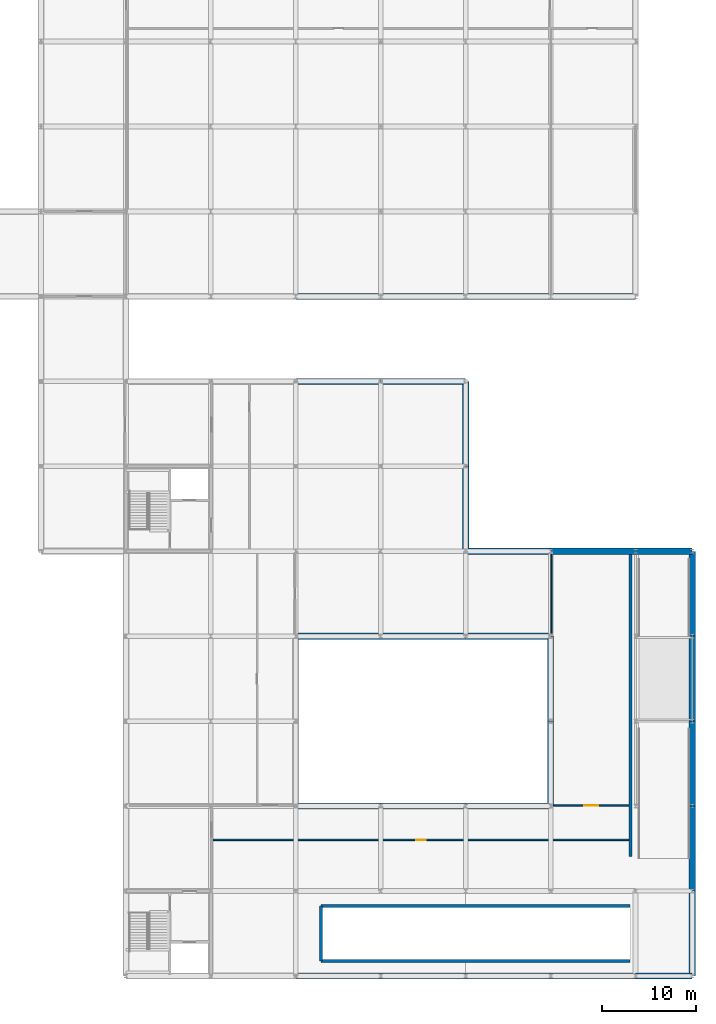
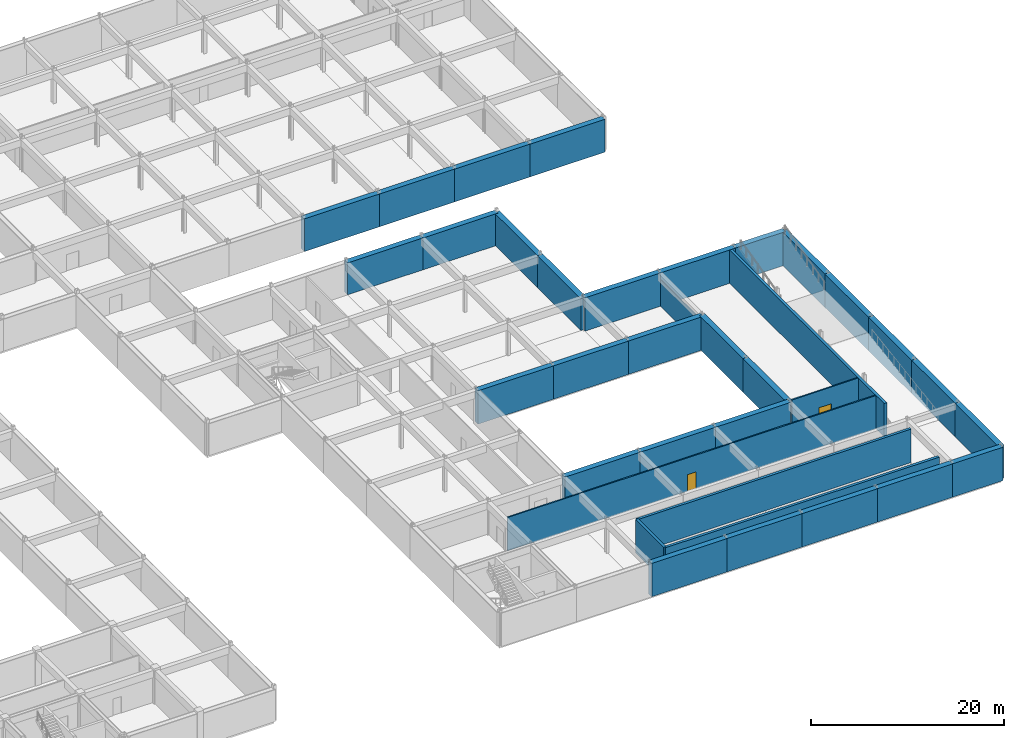
# One storey, part 25 of 35: 36 walls, 2 doors, 2 openings.
"""IFC4 building model written with IfcOpenShell, lengths in metres."""

from ifc_helpers import new_model, si_unit, direction, frame, frame_2d, origin, place, context, subcontext, project, spatial, rectangle, extrude, material, layer, layer_set, type_object, element, fill, save


model = new_model("IFC4")

# Units and contexts
model_context = context("Model", 3, precision=1e-05, world=origin(), true_north=direction((0.0, 1.0)))
body_context = subcontext(model_context, "Body", "Model", "MODEL_VIEW")
ifc_project = project(units=[si_unit("LENGTHUNIT", "METRE"), si_unit("AREAUNIT", "SQUARE_METRE"), si_unit("VOLUMEUNIT", "CUBIC_METRE"), si_unit("PLANEANGLEUNIT", "RADIAN"), si_unit("MASSUNIT", "GRAM", prefix="KILO")], contexts=[model_context])

# Site, building, storey
site_placement = place(None, origin())
site = spatial("IfcSite", under=ifc_project, at=site_placement, CompositionType="ELEMENT")
building_placement = place(site_placement, origin())
building = spatial("IfcBuilding", under=site, at=building_placement, Name="Palais des Congres Ocreval", CompositionType="ELEMENT")
storey_placement = place(building_placement, frame((0.0, 0.0, -4.47998046875)))
storey = spatial("IfcBuildingStorey", under=building, at=storey_placement, Name="B1", CompositionType="ELEMENT", Elevation=-4.47998046875)

# Wall, opening, door
ifc_material_1 = material(Name="Gypsum acoustic partition")
ifc_layer_1 = layer(ifc_material_1, 0.159912109375)
ifc_layer_set_1 = layer_set([ifc_layer_1], Name="Corridor Fire Partition 160 Gypsum (Gypsum acoustic partition)")
wall_type_1 = type_object("IfcWallType", Name="Corridor Fire Partition 160 Gypsum", PredefinedType="PARTITIONING", material=ifc_layer_set_1)
wall_1_placement = place(storey_placement, frame((117.219970703125, 14.409912109375, 0.0), z_axis=(0.0, 0.0, 1.0), x_axis=(1.0, 0.0, 0.0)))
wall_1 = element("IfcWall", 1, at=wall_1_placement, inside=storey, type_object=wall_type_1, Name="Interior Partition IW03 B1", PredefinedType="PARTITIONING", context=body_context, shape_type="SweptSolid", body=[
    extrude(rectangle(XDim=44.074951171875, YDim=0.159912109375, at=frame_2d((22.03759765625, 0.0))), origin(), (0.0, 0.0, 1.0), 4.219970703125),
])
opening_1_placement = place(wall_1_placement, frame((21.53759765625, 0.0, 0.0)))
opening_1 = element("IfcOpeningElement", 2, at=opening_1_placement, cuts=wall_1, Name="Opening D10", PredefinedType="OPENING", context=body_context, shape_type="SweptSolid", body=[
    extrude(rectangle(XDim=1.0, YDim=2.10009765625, at=frame_2d((0.5, 1.050048828125))), frame((0.0, 0.08984375, 0.0), z_axis=(0.0, -1.0, 0.0), x_axis=(1.0, 0.0, 0.0)), (0.0, 0.0, 1.0), 0.179931640625),
])
ifc_material_2 = material(Name="Painted steel", Category="steel")
door_type_1 = type_object("IfcDoorType", Name="Service and Pantry Door 1000x2100", OperationType="NOTDEFINED", PredefinedType="DOOR", material=ifc_material_2)
door_1_placement = place(opening_1_placement, origin())
door_1 = element("IfcDoor", 3, at=door_1_placement, inside=storey, type_object=door_type_1, Name="Interior Door D10 B1", OperationType="SINGLE_SWING_RIGHT", OverallHeight=2.10009765625, OverallWidth=1.0, PredefinedType="DOOR", context=body_context, shape_type="SweptSolid", body=[
    extrude(rectangle(XDim=1.0, YDim=2.10009765625, at=frame_2d((0.5, 1.050048828125))), frame((0.0, 0.02490234375, 0.0), z_axis=(0.0, -1.0, 0.0), x_axis=(1.0, 0.0, 0.0)), (0.0, 0.0, 1.0), 0.050048828125),
])
fill(opening_1, door_1)

wall_2_placement = place(storey_placement, frame((153.330078125, 18.06494140625, 0.0), z_axis=(0.0, 0.0, 1.0), x_axis=(1.0, 0.0, 0.0)))
wall_2 = element("IfcWall", 4, at=wall_2_placement, inside=storey, type_object=wall_type_1, Name="Interior Partition IW03 B1", PredefinedType="PARTITIONING", context=body_context, shape_type="SweptSolid", body=[
    extrude(rectangle(XDim=7.96484375, YDim=0.159912109375, at=frame_2d((3.982421875, 0.0))), origin(), (0.0, 0.0, 1.0), 4.219970703125),
])
opening_2_placement = place(wall_2_placement, frame((3.232421875, 0.0, 0.0)))
opening_2 = element("IfcOpeningElement", 5, at=opening_2_placement, cuts=wall_2, Name="Opening D04", PredefinedType="OPENING", context=body_context, shape_type="SweptSolid", body=[
    extrude(rectangle(XDim=1.5, YDim=2.10009765625, at=frame_2d((0.75, 1.050048828125))), frame((0.0, 0.08984375, 0.0), z_axis=(0.0, -1.0, 0.0), x_axis=(1.0, 0.0, 0.0)), (0.0, 0.0, 1.0), 0.179931640625),
])
ifc_material_3 = material(Name="Solid French oak fire door", Category="wood")
door_type_2 = type_object("IfcDoorType", Name="Corridor Compartment Double Door 1500x2100", OperationType="NOTDEFINED", PredefinedType="DOOR", material=ifc_material_3)
door_2_placement = place(opening_2_placement, origin())
door_2 = element("IfcDoor", 6, at=door_2_placement, inside=storey, type_object=door_type_2, Name="Interior Door D04 B1", OperationType="DOUBLE_DOOR_SINGLE_SWING", OverallHeight=2.10009765625, OverallWidth=1.5, PredefinedType="DOOR", context=body_context, shape_type="SweptSolid", body=[
    extrude(rectangle(XDim=1.5, YDim=2.10009765625, at=frame_2d((0.75, 1.050048828125))), frame((0.0, 0.02490234375, 0.0), z_axis=(0.0, -1.0, 0.0), x_axis=(1.0, 0.0, 0.0)), (0.0, 0.0, 1.0), 0.050048828125),
])
fill(opening_2, door_2)

# Walls
ifc_material_4 = material(Name="Concrete C40/50", Category="concrete")
ifc_layer_2 = layer(ifc_material_4, 0.320068359375)
ifc_layer_set_2 = layer_set([ifc_layer_2], Name="Ramp and Hoistway Shear Wall 320 Concrete C40/50")
wall_type_2 = type_object("IfcWallType", Name="Ramp and Hoistway Shear Wall 320 Concrete C40/50", PredefinedType="SHEAR", material=ifc_layer_set_2)
wall_3_placement = place(storey_placement, frame((161.449951171875, 12.64990234375, 0.0), z_axis=(0.0, 0.0, 1.0), x_axis=(0.0, 1.0, 0.0)))
element("IfcWall", 7, at=wall_3_placement, inside=storey, type_object=wall_type_2, Name="Vehicle Ramp West Shaft Wall B1", PredefinedType="SHEAR", context=body_context, shape_type="SweptSolid", body=[
    extrude(rectangle(XDim=32.35009765625, YDim=0.320068359375, at=frame_2d((16.175048828125, 0.0))), origin(), (0.0, 0.0, 1.0), 4.219970703125),
])
for number, where, z_axis, x_axis, name in (
    (8, (128.679931640625, 7.419921875, 0.0), (0.0, 0.0, 1.0), (1.0, 0.0, 0.0), "Basement Ramp North Shaft Wall B1"),
    (9, (128.679931640625, 1.580078125, 0.0), (0.0, 0.0, 1.0), (1.0, 0.0, 0.0), "Basement Ramp South Shaft Wall B1"),
):
    element("IfcWall", number, at=place(storey_placement, frame(where, z_axis=z_axis, x_axis=x_axis)), inside=storey, type_object=wall_type_2, Name=name, PredefinedType="SHEAR", context=body_context, shape_type="SweptSolid", body=[
        extrude(rectangle(XDim=32.739990234375, YDim=0.320068359375, at=frame_2d((16.3701171875, 0.0))), origin(), (0.0, 0.0, 1.0), 4.219970703125),
    ])
wall_4_placement = place(storey_placement, frame((128.679931640625, 1.580078125, 0.0), z_axis=(0.0, 0.0, 1.0), x_axis=(0.0, 1.0, 0.0)))
element("IfcWall", 10, at=wall_4_placement, inside=storey, type_object=wall_type_2, Name="Basement Ramp West Closure Wall B1", PredefinedType="SHEAR", context=body_context, shape_type="SweptSolid", body=[
    extrude(rectangle(XDim=5.83984375, YDim=0.320068359375, at=frame_2d((2.919921875, 0.0))), origin(), (0.0, 0.0, 1.0), 4.219970703125),
])
ifc_material_5 = material(Name="Gypsum board partition")
ifc_layer_3 = layer(ifc_material_5, 0.1201171875)
ifc_layer_set_3 = layer_set([ifc_layer_3], Name="Suite Subdivision Partition 120 Gypsum (Gypsum board partition)")
wall_type_3 = type_object("IfcWallType", Name="Suite Subdivision Partition 120 Gypsum", PredefinedType="PARTITIONING", material=ifc_layer_set_3)
wall_5_placement = place(storey_placement, frame((153.090087890625, 36.330078125, 0.0), z_axis=(0.0, 0.0, 1.0), x_axis=(0.0, 1.0, 0.0)))
element("IfcWall", 11, at=wall_5_placement, inside=storey, type_object=wall_type_3, Name="Interior Partition IW04 B1", PredefinedType="PARTITIONING", context=body_context, shape_type="SweptSolid", body=[
    extrude(rectangle(XDim=8.33984375, YDim=0.1201171875, at=frame_2d((4.169921875, 0.0))), origin(), (0.0, 0.0, 1.0), 3.320068359375),
])
ifc_material_6 = material(Name="Concrete C35/45", Category="concrete")
ifc_layer_4 = layer(ifc_material_6, 0.64990234375)
ifc_layer_set_4 = layer_set([ifc_layer_4], Name="Upper Retaining Wall 650 Concrete C35/45")
wall_type_4 = type_object("IfcWallType", Name="Upper Retaining Wall 650 Concrete C35/45", PredefinedType="USERDEFINED", material=ifc_layer_set_4)
for number, where, z_axis, x_axis, name in (
    (12, (162.0, 72.0, 0.0), (0.0, 0.0, 1.0), (-1.0, 0.0, 0.0), "Basement Diaphragm Wall RW02 B1"),
    (13, (153.0, 72.0, 0.0), (0.0, 0.0, 1.0), (-1.0, 0.0, 0.0), "Basement Diaphragm Wall RW02 B1"),
    (14, (144.0, 72.0, 0.0), (0.0, 0.0, 1.0), (-1.0, 0.0, 0.0), "Basement Diaphragm Wall RW02 B1"),
    (15, (135.0, 72.0, 0.0), (0.0, 0.0, 1.0), (-1.0, 0.0, 0.0), "Basement Diaphragm Wall RW02 B1"),
):
    element("IfcWall", number, at=place(storey_placement, frame(where, z_axis=z_axis, x_axis=x_axis)), inside=storey, type_object=wall_type_4, Name=name, ObjectType="RETAININGWALL", PredefinedType="USERDEFINED", context=body_context, shape_type="SweptSolid", body=[
        extrude(rectangle(XDim=9.0, YDim=0.64990234375, at=frame_2d((4.5, 0.0))), origin(), (0.0, 0.0, 1.0), 4.139892578125),
    ])
for number, where, z_axis, x_axis, name in (
    (16, (126.0, 63.0, 0.0), (0.0, 0.0, 1.0), (1.0, 0.0, 0.0), "Basement Diaphragm Wall RW02 B1"),
    (17, (135.0, 63.0, 0.0), (0.0, 0.0, 1.0), (1.0, 0.0, 0.0), "Basement Diaphragm Wall RW02 B1"),
    (18, (144.0, 63.0, 0.0), (0.0, 0.0, 1.0), (0.0, -1.0, 0.0), "Basement Diaphragm Wall RW02 B1"),
    (19, (144.0, 54.0, 0.0), (0.0, 0.0, 1.0), (0.0, -1.0, 0.0), "Basement Diaphragm Wall RW02 B1"),
):
    element("IfcWall", number, at=place(storey_placement, frame(where, z_axis=z_axis, x_axis=x_axis)), inside=storey, type_object=wall_type_4, Name=name, ObjectType="RETAININGWALL", PredefinedType="USERDEFINED", context=body_context, shape_type="SweptSolid", body=[
        extrude(rectangle(XDim=9.0, YDim=0.64990234375, at=frame_2d((4.5, 0.0))), origin(), (0.0, 0.0, 1.0), 4.030029296875),
    ])
for number, where, z_axis, x_axis, name in (
    (20, (144.0, 45.0, 0.0), (0.0, 0.0, 1.0), (1.0, 0.0, 0.0), "Basement Diaphragm Wall RW02 B1"),
    (21, (153.0, 45.0, 0.0), (0.0, 0.0, 1.0), (1.0, 0.0, 0.0), "Basement Diaphragm Wall RW02 B1"),
):
    element("IfcWall", number, at=place(storey_placement, frame(where, z_axis=z_axis, x_axis=x_axis)), inside=storey, type_object=wall_type_4, Name=name, ObjectType="RETAININGWALL", PredefinedType="USERDEFINED", context=body_context, shape_type="SweptSolid", body=[
        extrude(rectangle(XDim=9.0, YDim=0.64990234375, at=frame_2d((4.5, 0.0))), origin(), (0.0, 0.0, 1.0), 4.219970703125),
    ])
wall_6_placement = place(storey_placement, frame((162.0, 45.0, 0.0), z_axis=(0.0, 0.0, 1.0), x_axis=(1.0, 0.0, 0.0)))
element("IfcWall", 22, at=wall_6_placement, inside=storey, type_object=wall_type_4, Name="Basement Diaphragm Wall RW02 B1", ObjectType="RETAININGWALL", PredefinedType="USERDEFINED", context=body_context, shape_type="SweptSolid", body=[
    extrude(rectangle(XDim=6.0, YDim=0.64990234375, at=frame_2d((3.0, 0.0))), origin(), (0.0, 0.0, 1.0), 4.219970703125),
])
for number, where, z_axis, x_axis, name in (
    (23, (168.0, 45.0, 0.0), (0.0, 0.0, 1.0), (0.0, -1.0, 0.0), "Basement Diaphragm Wall RW02 B1"),
    (24, (168.0, 36.0, 0.0), (0.0, 0.0, 1.0), (0.0, -1.0, 0.0), "Basement Diaphragm Wall RW02 B1"),
    (25, (168.0, 27.0, 0.0), (0.0, 0.0, 1.0), (0.0, -1.0, 0.0), "Basement Diaphragm Wall RW02 B1"),
    (26, (168.0, 18.0, 0.0), (0.0, 0.0, 1.0), (0.0, -1.0, 0.0), "Basement Diaphragm Wall RW02 B1"),
    (27, (168.0, 9.0, 0.0), (0.0, 0.0, 1.0), (0.0, -1.0, 0.0), "Basement Diaphragm Wall RW02 B1"),
):
    element("IfcWall", number, at=place(storey_placement, frame(where, z_axis=z_axis, x_axis=x_axis)), inside=storey, type_object=wall_type_4, Name=name, ObjectType="RETAININGWALL", PredefinedType="USERDEFINED", context=body_context, shape_type="SweptSolid", body=[
        extrude(rectangle(XDim=9.0, YDim=0.64990234375, at=frame_2d((4.5, 0.0))), origin(), (0.0, 0.0, 1.0), 4.219970703125),
    ])
wall_7_placement = place(storey_placement, frame((168.0, 0.0, 0.0), z_axis=(0.0, 0.0, 1.0), x_axis=(-1.0, 0.0, 0.0)))
element("IfcWall", 28, at=wall_7_placement, inside=storey, type_object=wall_type_4, Name="Basement Diaphragm Wall RW02 B1", ObjectType="RETAININGWALL", PredefinedType="USERDEFINED", context=body_context, shape_type="SweptSolid", body=[
    extrude(rectangle(XDim=6.0, YDim=0.64990234375, at=frame_2d((3.0, 0.0))), origin(), (0.0, 0.0, 1.0), 4.219970703125),
])
for number, where, z_axis, x_axis, name in (
    (29, (162.0, 0.0, 0.0), (0.0, 0.0, 1.0), (-1.0, 0.0, 0.0), "Basement Diaphragm Wall RW02 B1"),
    (30, (153.0, 0.0, 0.0), (0.0, 0.0, 1.0), (-1.0, 0.0, 0.0), "Basement Diaphragm Wall RW02 B1"),
    (31, (144.0, 0.0, 0.0), (0.0, 0.0, 1.0), (-1.0, 0.0, 0.0), "Basement Diaphragm Wall RW02 B1"),
    (32, (135.0, 0.0, 0.0), (0.0, 0.0, 1.0), (-1.0, 0.0, 0.0), "Basement Diaphragm Wall RW02 B1"),
    (33, (153.0, 18.0, 0.0), (0.0, 0.0, 1.0), (0.0, 1.0, 0.0), "Basement Diaphragm Wall RW02 B1"),
    (34, (153.0, 27.0, 0.0), (0.0, 0.0, 1.0), (0.0, 1.0, 0.0), "Basement Diaphragm Wall RW02 B1"),
    (35, (153.0, 36.0, 0.0), (0.0, 0.0, 1.0), (-1.0, 0.0, 0.0), "Basement Diaphragm Wall RW02 B1"),
    (36, (144.0, 36.0, 0.0), (0.0, 0.0, 1.0), (-1.0, 0.0, 0.0), "Basement Diaphragm Wall RW02 B1"),
    (37, (135.0, 36.0, 0.0), (0.0, 0.0, 1.0), (-1.0, 0.0, 0.0), "Basement Diaphragm Wall RW02 B1"),
    (38, (126.0, 18.0, 0.0), (0.0, 0.0, 1.0), (1.0, 0.0, 0.0), "Basement Diaphragm Wall RW02 B1"),
    (39, (135.0, 18.0, 0.0), (0.0, 0.0, 1.0), (1.0, 0.0, 0.0), "Basement Diaphragm Wall RW02 B1"),
    (40, (144.0, 18.0, 0.0), (0.0, 0.0, 1.0), (1.0, 0.0, 0.0), "Basement Diaphragm Wall RW02 B1"),
):
    element("IfcWall", number, at=place(storey_placement, frame(where, z_axis=z_axis, x_axis=x_axis)), inside=storey, type_object=wall_type_4, Name=name, ObjectType="RETAININGWALL", PredefinedType="USERDEFINED", context=body_context, shape_type="SweptSolid", body=[
        extrude(rectangle(XDim=9.0, YDim=0.64990234375, at=frame_2d((4.5, 0.0))), origin(), (0.0, 0.0, 1.0), 4.219970703125),
    ])

save(model, "model.ifc")
